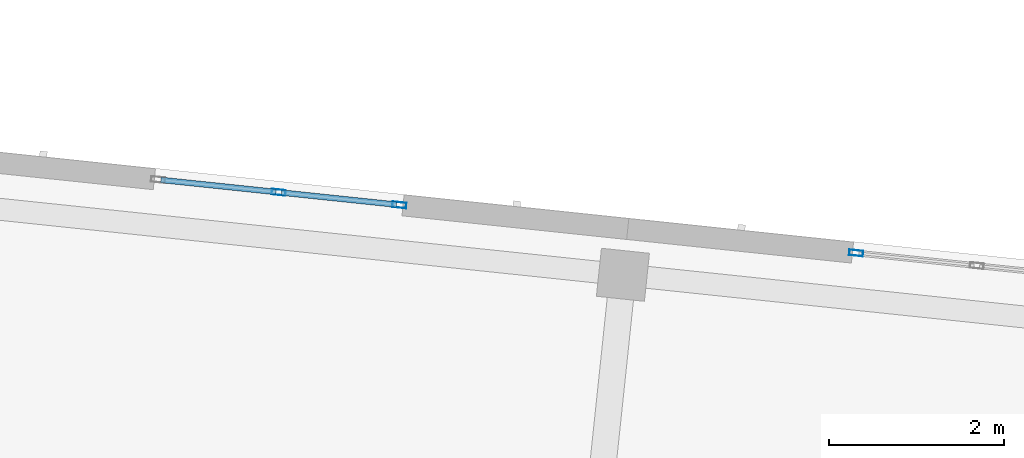
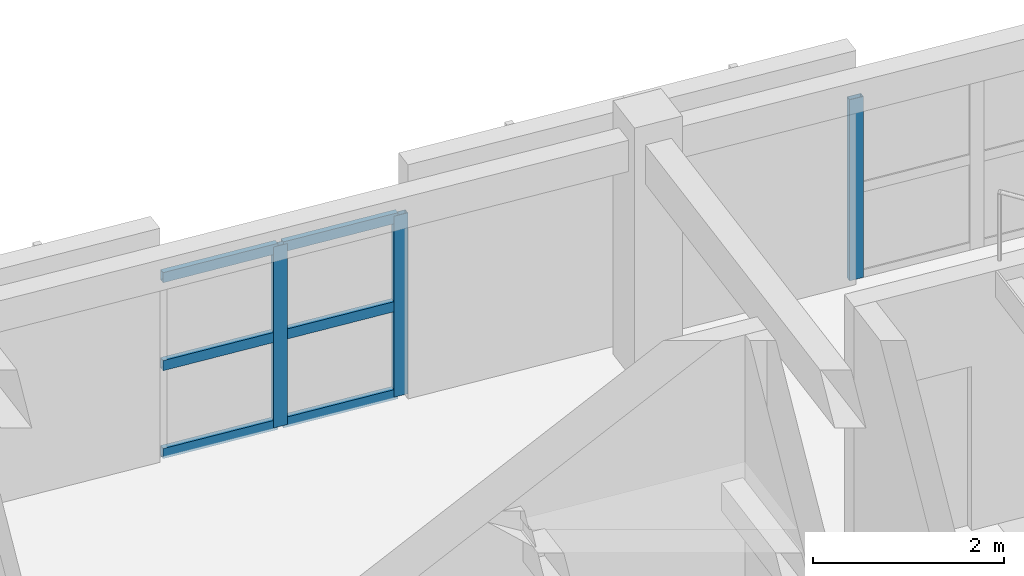
# One storey, part 60 of 127: 9 members, 2 elements without a shape of their own.
"""IFC4 building model written with IfcOpenShell, lengths in metres."""

from ifc_helpers import new_model, si_unit, direction, frame, origin, origin_2d, place, context, subcontext, project, spatial, hollow_rectangle, extrude, material, material_profile, profile_set, type_object, element, aggregate, save


model = new_model("IFC4")

# Units and contexts
model_context = context("Model", 3, precision=1e-05, world=origin(), true_north=direction((0.0, 1.0)))
body_context = subcontext(model_context, "Body", "Model", "MODEL_VIEW")
ifc_project = project(units=[si_unit("LENGTHUNIT", "METRE"), si_unit("AREAUNIT", "SQUARE_METRE"), si_unit("VOLUMEUNIT", "CUBIC_METRE"), si_unit("PLANEANGLEUNIT", "RADIAN"), si_unit("MASSUNIT", "GRAM", prefix="KILO")], contexts=[model_context])

# Site, building, storey
site_placement = place(None, origin())
site = spatial("IfcSite", under=ifc_project, at=site_placement, CompositionType="ELEMENT")
building_placement = place(site_placement, origin())
building = spatial("IfcBuilding", under=site, at=building_placement, Name="Kestramere Prow Commons", CompositionType="ELEMENT")
storey_placement = place(building_placement, frame((0.0, 0.0, 8.39990234375)))
storey = spatial("IfcBuildingStorey", under=building, at=storey_placement, Name="L02", CompositionType="ELEMENT", Elevation=8.39990234375)

# Curtain wall, members
ifc_material_1 = material(Name="Anodised Aluminium and Low-E Glass", Category="aluminium")
curtain_wall_type = type_object("IfcCurtainWallType", Name="CW-03 Glazed Curtain Wall 2830x2320", PredefinedType="USERDEFINED", material=ifc_material_1)
curtain_wall_1_placement = place(storey_placement, origin())
curtain_wall_1 = element("IfcCurtainWall", 1, at=curtain_wall_1_placement, inside=storey, type_object=curtain_wall_type, Name="Block B L02 Stairwell Vertical Glazing 4", ObjectType="GLAZED CURTAIN WALL", PredefinedType="USERDEFINED")
ifc_material_2 = material(Name="Anodised Aluminium 6063-T6", Category="aluminium")
ifc_material_profile_1 = material_profile(ifc_material_2, hollow_rectangle(XDim=0.06494140625, YDim=0.159912109375, WallThickness=0.00390625, at=origin_2d()), Name="ALU-MUL 65x160")
ifc_profile_set_1 = profile_set([ifc_material_profile_1], Name="Anodised Aluminium 6063-T6")
member_type_1 = type_object("IfcMemberType", Name="CW-MUL-65x160", PredefinedType="MULLION", material=ifc_profile_set_1)
member_1_placement = place(storey_placement, frame((139.9501953125, 111.887939453125, 0.0), z_axis=(0.0, 0.0, 1.0), x_axis=(0.104528618845, 0.994521879016, 0.0)))
member_1 = element("IfcMember", 2, at=member_1_placement, type_object=member_type_1, Name="CW-03 mullion 2", PredefinedType="MULLION", context=body_context, shape_type="SweptSolid", body=[
    extrude(hollow_rectangle(XDim=0.06494140625, YDim=0.159912109375, WallThickness=0.00390625, at=origin_2d()), origin(), (0.0, 0.0, 1.0), 2.320068359375),
])
member_2_placement = place(storey_placement, frame((141.3251953125, 111.743408203125, 0.0), z_axis=(0.0, 0.0, 1.0), x_axis=(0.104528618845, 0.994521879016, 0.0)))
member_2 = element("IfcMember", 3, at=member_2_placement, type_object=member_type_1, Name="CW-03 mullion 3", PredefinedType="MULLION", context=body_context, shape_type="SweptSolid", body=[
    extrude(hollow_rectangle(XDim=0.06494140625, YDim=0.159912109375, WallThickness=0.00390625, at=origin_2d()), origin(), (0.0, 0.0, 1.0), 2.320068359375),
])

# Curtain wall, member
curtain_wall_2_placement = place(storey_placement, origin())
curtain_wall_2 = element("IfcCurtainWall", 4, at=curtain_wall_2_placement, inside=storey, type_object=curtain_wall_type, Name="Block B L02 Stairwell Vertical Glazing 5", ObjectType="GLAZED CURTAIN WALL", PredefinedType="USERDEFINED")
member_3_placement = place(storey_placement, frame((146.531494140625, 111.1962890625, 0.0), z_axis=(0.0, 0.0, 1.0), x_axis=(0.104528269348, 0.99452191575, 0.0)))
member_3 = element("IfcMember", 5, at=member_3_placement, type_object=member_type_1, Name="CW-03 mullion 1", PredefinedType="MULLION", context=body_context, shape_type="SweptSolid", body=[
    extrude(hollow_rectangle(XDim=0.06494140625, YDim=0.159912109375, WallThickness=0.00390625, at=origin_2d()), origin(), (0.0, 0.0, 1.0), 2.320068359375),
])
aggregate(curtain_wall_2, [member_3])

# Member
ifc_material_profile_2 = material_profile(ifc_material_2, hollow_rectangle(XDim=0.06494140625, YDim=0.1298828125, WallThickness=0.00390625, at=origin_2d()), Name="ALU-TRN 65x130")
ifc_profile_set_2 = profile_set([ifc_material_profile_2], Name="Anodised Aluminium 6063-T6")
member_type_2 = type_object("IfcMemberType", Name="CW-TRN-65x130", PredefinedType="USERDEFINED", material=ifc_profile_set_2)
member_4_placement = place(storey_placement, frame((138.607666015625, 112.029052734375, 0.03271484375), z_axis=(0.994523714271, -0.104511156111, 0.0), x_axis=(0.104511156111, 0.994523714271, 0.0)))
member_4 = element("IfcMember", 6, at=member_4_placement, type_object=member_type_2, Name="CW-03 transom 1.1", ObjectType="TRANSOM", PredefinedType="USERDEFINED", context=body_context, shape_type="SweptSolid", body=[
    extrude(hollow_rectangle(XDim=0.06494140625, YDim=0.1298828125, WallThickness=0.00390625, at=origin_2d()), origin(), (0.0, 0.0, 1.0), 1.317626953125),
])

member_5_placement = place(storey_placement, frame((138.607666015625, 112.029052734375, 1.16015625), z_axis=(0.994523714271, -0.104511156111, 0.0), x_axis=(0.104511156111, 0.994523714271, 0.0)))
member_5 = element("IfcMember", 7, at=member_5_placement, type_object=member_type_2, Name="CW-03 transom 1.2", ObjectType="TRANSOM", PredefinedType="USERDEFINED", context=body_context, shape_type="SweptSolid", body=[
    extrude(hollow_rectangle(XDim=0.06494140625, YDim=0.1298828125, WallThickness=0.00390625, at=origin_2d()), origin(), (0.0, 0.0, 1.0), 1.317626953125),
])

member_6_placement = place(storey_placement, frame((138.607666015625, 112.029052734375, 2.28759765625), z_axis=(0.994523714271, -0.104511156111, 0.0), x_axis=(0.104511156111, 0.994523714271, 0.0)))
member_6 = element("IfcMember", 8, at=member_6_placement, type_object=member_type_2, Name="CW-03 transom 1.3", ObjectType="TRANSOM", PredefinedType="USERDEFINED", context=body_context, shape_type="SweptSolid", body=[
    extrude(hollow_rectangle(XDim=0.06494140625, YDim=0.1298828125, WallThickness=0.00390625, at=origin_2d()), origin(), (0.0, 0.0, 1.0), 1.317626953125),
])

member_7_placement = place(storey_placement, frame((139.982666015625, 111.884521484375, 0.03271484375), z_axis=(0.994523714271, -0.104511156111, 0.0), x_axis=(0.104511156111, 0.994523714271, 0.0)))
member_7 = element("IfcMember", 9, at=member_7_placement, type_object=member_type_2, Name="CW-03 transom 2.1", ObjectType="TRANSOM", PredefinedType="USERDEFINED", context=body_context, shape_type="SweptSolid", body=[
    extrude(hollow_rectangle(XDim=0.06494140625, YDim=0.1298828125, WallThickness=0.00390625, at=origin_2d()), origin(), (0.0, 0.0, 1.0), 1.317626953125),
])

member_8_placement = place(storey_placement, frame((139.982666015625, 111.884521484375, 1.16015625), z_axis=(0.994523714271, -0.104511156111, 0.0), x_axis=(0.104511156111, 0.994523714271, 0.0)))
member_8 = element("IfcMember", 10, at=member_8_placement, type_object=member_type_2, Name="CW-03 transom 2.2", ObjectType="TRANSOM", PredefinedType="USERDEFINED", context=body_context, shape_type="SweptSolid", body=[
    extrude(hollow_rectangle(XDim=0.06494140625, YDim=0.1298828125, WallThickness=0.00390625, at=origin_2d()), origin(), (0.0, 0.0, 1.0), 1.317626953125),
])

member_9_placement = place(storey_placement, frame((139.982666015625, 111.884521484375, 2.28759765625), z_axis=(0.994523714271, -0.104511156111, 0.0), x_axis=(0.104511156111, 0.994523714271, 0.0)))
member_9 = element("IfcMember", 11, at=member_9_placement, type_object=member_type_2, Name="CW-03 transom 2.3", ObjectType="TRANSOM", PredefinedType="USERDEFINED", context=body_context, shape_type="SweptSolid", body=[
    extrude(hollow_rectangle(XDim=0.06494140625, YDim=0.1298828125, WallThickness=0.00390625, at=origin_2d()), origin(), (0.0, 0.0, 1.0), 1.317626953125),
])

aggregate(curtain_wall_1, [member_1, member_2, member_4, member_5, member_6, member_7, member_8, member_9])

save(model, "model.ifc")
